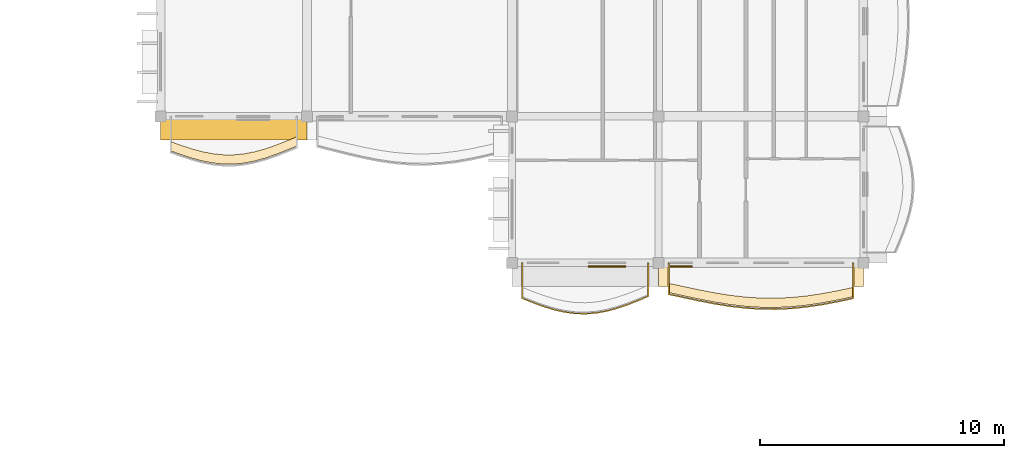
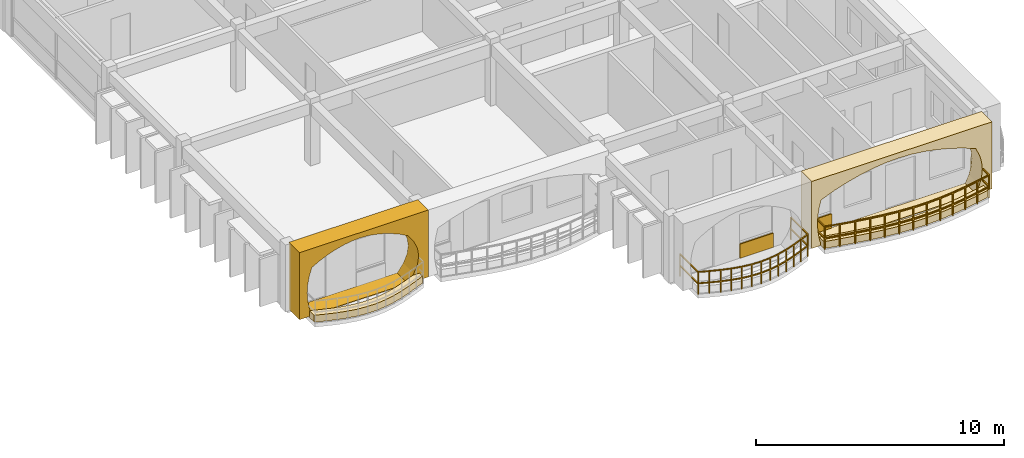
# One storey, part 62 of 68: 6 coverings, 2 railings.
"""IFC4 building model written with IfcOpenShell, lengths in metres."""

from ifc_helpers import new_model, si_unit, direction, frame, origin, origin_2d, place, context, subcontext, project, spatial, polyline, rectangle, outline, extrude, material, layer, layer_set, type_object, element, save


model = new_model("IFC4")

# Units and contexts
model_context = context("Model", 3, precision=1e-05, world=origin(), true_north=direction((0.0, 1.0)))
body_context = subcontext(model_context, "Body", "Model", "MODEL_VIEW")
ifc_project = project(units=[si_unit("LENGTHUNIT", "METRE"), si_unit("AREAUNIT", "SQUARE_METRE"), si_unit("VOLUMEUNIT", "CUBIC_METRE"), si_unit("PLANEANGLEUNIT", "RADIAN"), si_unit("MASSUNIT", "GRAM", prefix="KILO"), si_unit("THERMODYNAMICTEMPERATUREUNIT", "KELVIN")], contexts=[model_context])

# Site, building, storey
site_placement = place(None, origin())
site = spatial("IfcSite", under=ifc_project, at=site_placement, CompositionType="ELEMENT")
building_placement = place(site_placement, origin())
building = spatial("IfcBuilding", under=site, at=building_placement, Name="Thalorik Housing Commons", CompositionType="ELEMENT")
storey_placement = place(building_placement, frame((0.0, 0.0, 24.60009765625)))
storey = spatial("IfcBuildingStorey", under=building, at=storey_placement, Name="L07", CompositionType="ELEMENT", Elevation=24.60009765625)

# Coverings
ifc_material_1 = material(Name="Cobalt blue glazed ceramic facade tile panel", Category="masonry")
ifc_layer_1 = layer(ifc_material_1, 0.06005859375, Name="Cobalt blue glazed ceramic facade tile panel", Category="masonry")
ifc_layer_set_1 = layer_set([ifc_layer_1], Name="Cobalt blue glazed ceramic facade tile panel")
covering_type_1 = type_object("IfcCoveringType", Name="ARC-CLD-BLU-60", PredefinedType="CLADDING", material=ifc_layer_set_1)
covering_1_placement = place(storey_placement, frame((156.2900390625, 37.047607421875, 0.0498046875), z_axis=(0.0, 0.0, 1.0), x_axis=(1.0, 0.0, 0.0)))
element("IfcCovering", 1, at=covering_1_placement, inside=storey, type_object=covering_type_1, Name="L07 De Stijl Recessed Window Spandrel 5031", PredefinedType="CLADDING", context=body_context, shape_type="SweptSolid", body=[
    extrude(rectangle(XDim=1.550048828125, YDim=0.06005859375, at=origin_2d()), origin(), (0.0, 0.0, 1.0), 0.699951171875),
])
ifc_material_2 = material(Name="Precast concrete C40/50", Category="concrete")
ifc_layer_2 = layer(ifc_material_2, 0.85009765625, Name="Precast concrete C40/50", Category="concrete")
ifc_layer_set_2 = layer_set([ifc_layer_2], Name="Precast concrete C40/50")
covering_type_2 = type_object("IfcCoveringType", Name="ARC-CLD-CUSH-850", PredefinedType="CLADDING", material=ifc_layer_set_2)
covering_2_placement = place(storey_placement, frame((141.0, 42.657470703125, 0.0), z_axis=(0.0, 0.0, 1.0), x_axis=(1.0, 0.0, 0.0)))
element("IfcCovering", 2, at=covering_2_placement, inside=storey, type_object=covering_type_2, Name="L07 White Precast Curved Cushion Bay Frame 5019", PredefinedType="CLADDING", context=body_context, shape_type="SweptSolid", body=[
    extrude(outline(polyline([(-3.0, 0.0), (3.0, 0.0), (3.0, 3.300048828125), (-3.0, 3.300048828125), (-3.0, 0.0)]), holes=[polyline([(2.0400390625, 0.02490234375), (2.3232421875, 0.415771484375), (2.493408203125, 0.806640625), (2.550048828125, 1.197509765625), (2.493408203125, 1.58837890625), (2.3232421875, 1.979248046875), (2.0400390625, 2.3701171875), (1.66748046875, 2.573974609375), (1.294921875, 2.734130859375), (0.922607421875, 2.864013671875), (0.550048828125, 2.960205078125), (0.177490234375, 3.02001953125), (-0.195068359375, 3.0400390625), (-0.5673828125, 3.02001953125), (-0.93994140625, 2.960205078125), (-1.3125, 2.864013671875), (-1.68505859375, 2.734130859375), (-2.0576171875, 2.573974609375), (-2.429931640625, 2.3701171875), (-2.55029296875, 1.979248046875), (-2.62255859375, 1.58837890625), (-2.646484375, 1.197509765625), (-2.62255859375, 0.806640625), (-2.55029296875, 0.415771484375), (-2.429931640625, 0.02490234375), (2.0400390625, 0.02490234375)])]), frame((0.0, 0.425048828125, 0.0), z_axis=(0.0, -1.0, 0.0), x_axis=(1.0, 0.0, 0.0)), (0.0, 0.0, 1.0), 0.85009765625),
])
covering_3_placement = place(storey_placement, frame((162.60009765625, 36.657470703125, 0.0), z_axis=(0.0, 0.0, 1.0), x_axis=(1.0, 0.0, 0.0)))
element("IfcCovering", 3, at=covering_3_placement, inside=storey, type_object=covering_type_2, Name="L07 White Precast Curved Cushion Bay Frame 5032", PredefinedType="CLADDING", context=body_context, shape_type="SweptSolid", body=[
    extrude(outline(polyline([(-4.199951171875, 0.0), (4.199951171875, 0.0), (4.199951171875, 3.300048828125), (-4.199951171875, 3.300048828125), (-4.199951171875, 0.0)]), holes=[polyline([(3.445068359375, 0.02490234375), (3.614501953125, 0.394287109375), (3.716064453125, 0.76318359375), (3.75, 1.132568359375), (3.716064453125, 1.501708984375), (3.614501953125, 1.870849609375), (3.445068359375, 2.239990234375), (2.84423828125, 2.4833984375), (2.243408203125, 2.6748046875), (1.642578125, 2.82958984375), (1.041748046875, 2.94482421875), (0.44091796875, 3.01611328125), (-0.159912109375, 3.0400390625), (-0.7607421875, 3.01611328125), (-1.36181640625, 2.94482421875), (-1.96240234375, 2.82958984375), (-2.563232421875, 2.6748046875), (-3.164306640625, 2.4833984375), (-3.764892578125, 2.239990234375), (-3.856689453125, 1.870849609375), (-3.911865234375, 1.501708984375), (-3.930419921875, 1.132568359375), (-3.911865234375, 0.76318359375), (-3.856689453125, 0.394287109375), (-3.764892578125, 0.02490234375), (3.445068359375, 0.02490234375)])]), frame((0.0, 0.425048828125, 0.0), z_axis=(0.0, -1.0, 0.0), x_axis=(1.0, 0.0, 0.0)), (0.0, 0.0, 1.0), 0.85009765625),
])
ifc_material_3 = material(Name="Mineral ochre architectural terracotta panel", Category="masonry")
ifc_layer_3 = layer(ifc_material_3, 0.06494140625, Name="Mineral ochre architectural terracotta panel", Category="masonry")
ifc_layer_set_3 = layer_set([ifc_layer_3], Name="Mineral ochre architectural terracotta panel")
covering_type_3 = type_object("IfcCoveringType", Name="ARC-CLD-YEL-65", PredefinedType="CLADDING", material=ifc_layer_set_3)
covering_4_placement = place(storey_placement, frame((159.3349609375, 37.044921875, 0.0498046875), z_axis=(0.0, 0.0, 1.0), x_axis=(1.0, 0.0, 0.0)))
element("IfcCovering", 4, at=covering_4_placement, inside=storey, type_object=covering_type_3, Name="L07 De Stijl Recessed Window Spandrel 5033", PredefinedType="CLADDING", context=body_context, shape_type="SweptSolid", body=[
    extrude(rectangle(XDim=0.89990234375, YDim=0.06494140625, at=origin_2d()), origin(), (0.0, 0.0, 1.0), 0.699951171875),
])
ifc_material_4 = material(Name="Planted vegetated substrate and terracotta trough", Category="masonry")
ifc_layer_4 = layer(ifc_material_4, 0.340087890625, Name="Planted vegetated substrate and terracotta trough", Category="masonry")
ifc_layer_set_4 = layer_set([ifc_layer_4], Name="Planted vegetated substrate and terracotta trough")
covering_type_4 = type_object("IfcCoveringType", Name="ARC-COV-PLANTER", PredefinedType="USERDEFINED", material=ifc_layer_set_4)
covering_5_placement = place(storey_placement, origin())
element("IfcCovering", 5, at=covering_5_placement, inside=storey, type_object=covering_type_4, Name="L07 Balcony Slab-Edge Planted Trough 5693", ObjectType="PLANTER", PredefinedType="USERDEFINED", context=body_context, shape_type="SweptSolid", body=[
    extrude(outline(polyline([(158.820068359375, 35.978271484375), (159.449951171875, 35.841552734375), (160.080078125, 35.708251953125), (160.7099609375, 35.587158203125), (161.340087890625, 35.48681640625), (161.969970703125, 35.413818359375), (162.60009765625, 35.373046875), (163.22998046875, 35.367919921875), (163.860107421875, 35.398681640625), (164.489990234375, 35.463623046875), (165.1201171875, 35.55810546875), (165.75, 35.676513671875), (166.3798828125, 35.810546875), (166.3798828125, 36.1904296875), (165.75, 36.056396484375), (165.1201171875, 35.938232421875), (164.489990234375, 35.843505859375), (163.860107421875, 35.77880859375), (163.22998046875, 35.748046875), (162.60009765625, 35.753173828125), (161.969970703125, 35.793701171875), (161.340087890625, 35.86669921875), (160.7099609375, 35.96728515625), (160.080078125, 36.088134765625), (159.449951171875, 36.221435546875), (158.820068359375, 36.3583984375), (158.820068359375, 35.978271484375)])), origin(), (0.0, 0.0, 1.0), 0.33984375),
])
covering_6_placement = place(storey_placement, origin())
element("IfcCovering", 6, at=covering_6_placement, inside=storey, type_object=covering_type_4, Name="L07 Balcony Slab-Edge Planted Trough 5694", ObjectType="PLANTER", PredefinedType="USERDEFINED", context=body_context, shape_type="SweptSolid", body=[
    extrude(outline(polyline([(138.419921875, 41.7822265625), (138.85009765625, 41.626953125), (139.280029296875, 41.48681640625), (139.7099609375, 41.37109375), (140.139892578125, 41.288330078125), (140.570068359375, 41.24462890625), (141.0, 41.243408203125), (141.429931640625, 41.28564453125), (141.860107421875, 41.368896484375), (142.2900390625, 41.48828125), (142.719970703125, 41.63671875), (143.14990234375, 41.80419921875), (143.580078125, 41.980712890625), (143.580078125, 42.360595703125), (143.14990234375, 42.184326171875), (142.719970703125, 42.0166015625), (142.2900390625, 41.868408203125), (141.860107421875, 41.748779296875), (141.429931640625, 41.66552734375), (141.0, 41.62353515625), (140.570068359375, 41.62451171875), (140.139892578125, 41.668212890625), (139.7099609375, 41.751220703125), (139.280029296875, 41.86669921875), (138.85009765625, 42.007080078125), (138.419921875, 42.162109375), (138.419921875, 41.7822265625)])), origin(), (0.0, 0.0, 1.0), 0.33984375),
])

# Railings
ifc_material_5 = material(Name="Steel S355", Category="steel")
railing_type_1 = type_object("IfcRailingType", Name="ARC-RL-BAL-112", PredefinedType="BALUSTRADE", material=ifc_material_5)
railing_1_placement = place(storey_placement, frame((152.820068359375, 37.199951171875, 0.0)))
element("IfcRailing", 7, at=railing_1_placement, inside=storey, type_object=railing_type_1, Name="L07 Cushion Balcony Guardrail 376", PredefinedType="BALUSTRADE", context=body_context, shape_type="SweptSolid", body=[
    extrude(rectangle(XDim=0.050048828125, YDim=0.050048828125, at=origin_2d()), frame((0.0, 0.0, 1.09521484375), z_axis=(0.0, -1.0, 0.0), x_axis=(1.0, 0.0, 0.0)), (0.0, 0.0, 1.0), 1.457275390625),
    extrude(rectangle(XDim=0.050048828125, YDim=0.050048828125, at=origin_2d()), frame((0.0, 0.0, 0.53515625), z_axis=(0.0, -1.0, 0.0), x_axis=(1.0, 0.0, 0.0)), (0.0, 0.0, 1.0), 1.457275390625),
    extrude(rectangle(XDim=0.050048828125, YDim=0.050048828125, at=origin_2d()), frame((0.0, -1.457275390625, 1.09521484375), z_axis=(0.928549402088, -0.371208846718, 0.0), x_axis=(0.371208846718, 0.928549402088, 0.0)), (0.0, 0.0, 1.0), 0.463134765625),
    extrude(rectangle(XDim=0.050048828125, YDim=0.050048828125, at=origin_2d()), frame((0.0, -1.457275390625, 0.53515625), z_axis=(0.928549402088, -0.371208846718, 0.0), x_axis=(0.371208846718, 0.928549402088, 0.0)), (0.0, 0.0, 1.0), 0.463134765625),
    extrude(rectangle(XDim=0.050048828125, YDim=0.050048828125, at=origin_2d()), frame((0.429931640625, -1.629150390625, 1.09521484375), z_axis=(0.939169012108, -0.343455334354, 0.0), x_axis=(0.343455334354, 0.939169012108, 0.0)), (0.0, 0.0, 1.0), 0.457763671875),
    extrude(rectangle(XDim=0.050048828125, YDim=0.050048828125, at=origin_2d()), frame((0.429931640625, -1.629150390625, 0.53515625), z_axis=(0.939169012108, -0.343455334354, 0.0), x_axis=(0.343455334354, 0.939169012108, 0.0)), (0.0, 0.0, 1.0), 0.457763671875),
    extrude(rectangle(XDim=0.050048828125, YDim=0.050048828125, at=origin_2d()), frame((0.85986328125, -1.786376953125, 1.09521484375), z_axis=(0.955649921481, -0.294505055258, 0.0), x_axis=(0.294505055258, 0.955649921481, 0.0)), (0.0, 0.0, 1.0), 0.4501953125),
    extrude(rectangle(XDim=0.050048828125, YDim=0.050048828125, at=origin_2d()), frame((0.85986328125, -1.786376953125, 0.53515625), z_axis=(0.955649921481, -0.294505055258, 0.0), x_axis=(0.294505055258, 0.955649921481, 0.0)), (0.0, 0.0, 1.0), 0.4501953125),
    extrude(rectangle(XDim=0.050048828125, YDim=0.050048828125, at=origin_2d()), frame((1.2900390625, -1.9189453125, 1.09521484375), z_axis=(0.974437804809, -0.224657438247, 0.0), x_axis=(0.224657438247, 0.974437804809, 0.0)), (0.0, 0.0, 1.0), 0.441162109375),
    extrude(rectangle(XDim=0.050048828125, YDim=0.050048828125, at=origin_2d()), frame((1.2900390625, -1.9189453125, 0.53515625), z_axis=(0.974437804809, -0.224657438247, 0.0), x_axis=(0.224657438247, 0.974437804809, 0.0)), (0.0, 0.0, 1.0), 0.441162109375),
    extrude(rectangle(XDim=0.050048828125, YDim=0.050048828125, at=origin_2d()), frame((1.719970703125, -2.01806640625, 1.09521484375), z_axis=(0.990840436825, -0.135037878954, 0.0), x_axis=(0.135037878954, 0.990840436825, 0.0)), (0.0, 0.0, 1.0), 0.433837890625),
    extrude(rectangle(XDim=0.050048828125, YDim=0.050048828125, at=origin_2d()), frame((1.719970703125, -2.01806640625, 0.53515625), z_axis=(0.990840436825, -0.135037878954, 0.0), x_axis=(0.135037878954, 0.990840436825, 0.0)), (0.0, 0.0, 1.0), 0.433837890625),
    extrude(rectangle(XDim=0.050048828125, YDim=0.050048828125, at=origin_2d()), frame((2.14990234375, -2.07666015625, 1.09521484375), z_axis=(0.999458056361, -0.032917982549, 0.0), x_axis=(0.032917982549, 0.999458056361, 0.0)), (0.0, 0.0, 1.0), 0.43017578125),
    extrude(rectangle(XDim=0.050048828125, YDim=0.050048828125, at=origin_2d()), frame((2.14990234375, -2.07666015625, 0.53515625), z_axis=(0.999458056361, -0.032917982549, 0.0), x_axis=(0.032917982549, 0.999458056361, 0.0)), (0.0, 0.0, 1.0), 0.43017578125),
    extrude(rectangle(XDim=0.050048828125, YDim=0.050048828125, at=origin_2d()), frame((2.579833984375, -2.0908203125, 1.09521484375), z_axis=(0.997371770008, 0.07245379487, 0.0), x_axis=(-0.07245379487, 0.997371770008, 0.0)), (0.0, 0.0, 1.0), 0.431396484375),
    extrude(rectangle(XDim=0.050048828125, YDim=0.050048828125, at=origin_2d()), frame((2.579833984375, -2.0908203125, 0.53515625), z_axis=(0.997371770008, 0.07245379487, 0.0), x_axis=(-0.07245379487, 0.997371770008, 0.0)), (0.0, 0.0, 1.0), 0.431396484375),
    extrude(rectangle(XDim=0.050048828125, YDim=0.050048828125, at=origin_2d()), frame((3.010009765625, -2.0595703125, 1.09521484375), z_axis=(0.985141873648, 0.171742507217, 0.0), x_axis=(-0.171742507217, 0.985141873648, 0.0)), (0.0, 0.0, 1.0), 0.4365234375),
    extrude(rectangle(XDim=0.050048828125, YDim=0.050048828125, at=origin_2d()), frame((3.010009765625, -2.0595703125, 0.53515625), z_axis=(0.985141873648, 0.171742507217, 0.0), x_axis=(-0.171742507217, 0.985141873648, 0.0)), (0.0, 0.0, 1.0), 0.4365234375),
    extrude(rectangle(XDim=0.050048828125, YDim=0.050048828125, at=origin_2d()), frame((3.43994140625, -1.984619140625, 1.09521484375), z_axis=(0.966453204663, 0.256842759672, 0.0), x_axis=(-0.256842759672, 0.966453204663, 0.0)), (0.0, 0.0, 1.0), 0.44482421875),
    extrude(rectangle(XDim=0.050048828125, YDim=0.050048828125, at=origin_2d()), frame((3.43994140625, -1.984619140625, 0.53515625), z_axis=(0.966453204663, 0.256842759672, 0.0), x_axis=(-0.256842759672, 0.966453204663, 0.0)), (0.0, 0.0, 1.0), 0.44482421875),
    extrude(rectangle(XDim=0.050048828125, YDim=0.050048828125, at=origin_2d()), frame((3.869873046875, -1.870361328125, 1.09521484375), z_axis=(0.946949496671, 0.321382405794, 0.0), x_axis=(-0.321382405794, 0.946949496671, 0.0)), (0.0, 0.0, 1.0), 0.454345703125),
    extrude(rectangle(XDim=0.050048828125, YDim=0.050048828125, at=origin_2d()), frame((3.869873046875, -1.870361328125, 0.53515625), z_axis=(0.946949496671, 0.321382405794, 0.0), x_axis=(-0.321382405794, 0.946949496671, 0.0)), (0.0, 0.0, 1.0), 0.454345703125),
    extrude(rectangle(XDim=0.050048828125, YDim=0.050048828125, at=origin_2d()), frame((4.300048828125, -1.724365234375, 1.09521484375), z_axis=(0.930899197283, 0.365276175651, 0.0), x_axis=(-0.365276175651, 0.930899197283, 0.0)), (0.0, 0.0, 1.0), 0.4619140625),
    extrude(rectangle(XDim=0.050048828125, YDim=0.050048828125, at=origin_2d()), frame((4.300048828125, -1.724365234375, 0.53515625), z_axis=(0.930899197283, 0.365276175651, 0.0), x_axis=(-0.365276175651, 0.930899197283, 0.0)), (0.0, 0.0, 1.0), 0.4619140625),
    extrude(rectangle(XDim=0.050048828125, YDim=0.050048828125, at=origin_2d()), frame((4.72998046875, -1.5556640625, 1.09521484375), z_axis=(0.922097969708, 0.386956501768, 0.0), x_axis=(-0.386956501768, 0.922097969708, 0.0)), (0.0, 0.0, 1.0), 0.46630859375),
    extrude(rectangle(XDim=0.050048828125, YDim=0.050048828125, at=origin_2d()), frame((4.72998046875, -1.5556640625, 0.53515625), z_axis=(0.922097969708, 0.386956501768, 0.0), x_axis=(-0.386956501768, 0.922097969708, 0.0)), (0.0, 0.0, 1.0), 0.46630859375),
    extrude(rectangle(XDim=0.050048828125, YDim=0.050048828125, at=origin_2d()), frame((5.159912109375, -1.375244140625, 1.09521484375), z_axis=(0.0, 1.0, 0.0), x_axis=(-1.0, 0.0, 0.0)), (0.0, 0.0, 1.0), 1.375244140625),
    extrude(rectangle(XDim=0.050048828125, YDim=0.050048828125, at=origin_2d()), frame((5.159912109375, -1.375244140625, 0.53515625), z_axis=(0.0, 1.0, 0.0), x_axis=(-1.0, 0.0, 0.0)), (0.0, 0.0, 1.0), 1.375244140625),
    extrude(rectangle(XDim=0.0419921875, YDim=0.0419921875, at=origin_2d()), origin(), (0.0, 0.0, 1.0), 1.070068359375),
    extrude(rectangle(XDim=0.0419921875, YDim=0.0419921875, at=origin_2d()), frame((0.0, -1.457275390625, 0.0)), (0.0, 0.0, 1.0), 1.070068359375),
    extrude(rectangle(XDim=0.0419921875, YDim=0.0419921875, at=origin_2d()), frame((0.429931640625, -1.629150390625, 0.0)), (0.0, 0.0, 1.0), 1.070068359375),
    extrude(rectangle(XDim=0.0419921875, YDim=0.0419921875, at=origin_2d()), frame((0.85986328125, -1.786376953125, 0.0)), (0.0, 0.0, 1.0), 1.070068359375),
    extrude(rectangle(XDim=0.0419921875, YDim=0.0419921875, at=origin_2d()), frame((1.2900390625, -1.9189453125, 0.0)), (0.0, 0.0, 1.0), 1.070068359375),
    extrude(rectangle(XDim=0.0419921875, YDim=0.0419921875, at=origin_2d()), frame((1.719970703125, -2.01806640625, 0.0)), (0.0, 0.0, 1.0), 1.070068359375),
    extrude(rectangle(XDim=0.0419921875, YDim=0.0419921875, at=origin_2d()), frame((2.14990234375, -2.07666015625, 0.0)), (0.0, 0.0, 1.0), 1.070068359375),
    extrude(rectangle(XDim=0.0419921875, YDim=0.0419921875, at=origin_2d()), frame((2.579833984375, -2.0908203125, 0.0)), (0.0, 0.0, 1.0), 1.070068359375),
    extrude(rectangle(XDim=0.0419921875, YDim=0.0419921875, at=origin_2d()), frame((3.010009765625, -2.0595703125, 0.0)), (0.0, 0.0, 1.0), 1.070068359375),
    extrude(rectangle(XDim=0.0419921875, YDim=0.0419921875, at=origin_2d()), frame((3.43994140625, -1.984619140625, 0.0)), (0.0, 0.0, 1.0), 1.070068359375),
    extrude(rectangle(XDim=0.0419921875, YDim=0.0419921875, at=origin_2d()), frame((3.869873046875, -1.870361328125, 0.0)), (0.0, 0.0, 1.0), 1.070068359375),
    extrude(rectangle(XDim=0.0419921875, YDim=0.0419921875, at=origin_2d()), frame((4.300048828125, -1.724365234375, 0.0)), (0.0, 0.0, 1.0), 1.070068359375),
    extrude(rectangle(XDim=0.0419921875, YDim=0.0419921875, at=origin_2d()), frame((4.72998046875, -1.5556640625, 0.0)), (0.0, 0.0, 1.0), 1.070068359375),
    extrude(rectangle(XDim=0.0419921875, YDim=0.0419921875, at=origin_2d()), frame((5.159912109375, -1.375244140625, 0.0)), (0.0, 0.0, 1.0), 1.070068359375),
    extrude(rectangle(XDim=0.0419921875, YDim=0.0419921875, at=origin_2d()), frame((5.159912109375, 0.0, 0.0)), (0.0, 0.0, 1.0), 1.070068359375),
])
railing_type_2 = type_object("IfcRailingType", Name="ARC-RL-BAL-115", PredefinedType="BALUSTRADE", material=ifc_material_5)
railing_2_placement = place(storey_placement, frame((158.820068359375, 37.199951171875, 0.0)))
element("IfcRailing", 8, at=railing_2_placement, inside=storey, type_object=railing_type_2, Name="L07 Cushion Balcony Guardrail 377", PredefinedType="BALUSTRADE", context=body_context, shape_type="SweptSolid", body=[
    extrude(rectangle(XDim=0.050048828125, YDim=0.050048828125, at=origin_2d()), frame((0.0, 0.0, 1.125), z_axis=(0.0, -1.0, 0.0), x_axis=(1.0, 0.0, 0.0)), (0.0, 0.0, 1.0), 1.291748046875),
    extrude(rectangle(XDim=0.050048828125, YDim=0.050048828125, at=origin_2d()), frame((0.0, 0.0, 0.5498046875), z_axis=(0.0, -1.0, 0.0), x_axis=(1.0, 0.0, 0.0)), (0.0, 0.0, 1.0), 1.291748046875),
    extrude(rectangle(XDim=0.050048828125, YDim=0.050048828125, at=origin_2d()), frame((0.0, -1.291748046875, 1.125), z_axis=(0.977244684611, -0.212115125342, 0.0), x_axis=(0.212115125342, 0.977244684611, 0.0)), (0.0, 0.0, 1.0), 0.64453125),
    extrude(rectangle(XDim=0.050048828125, YDim=0.050048828125, at=origin_2d()), frame((0.0, -1.291748046875, 0.5498046875), z_axis=(0.977244684611, -0.212115125342, 0.0), x_axis=(0.212115125342, 0.977244684611, 0.0)), (0.0, 0.0, 1.0), 0.64453125),
    extrude(rectangle(XDim=0.050048828125, YDim=0.050048828125, at=origin_2d()), frame((0.6298828125, -1.428466796875, 1.125), z_axis=(0.978348227117, -0.206965568387, 0.0), x_axis=(0.206965568387, 0.978348227117, 0.0)), (0.0, 0.0, 1.0), 0.64404296875),
    extrude(rectangle(XDim=0.050048828125, YDim=0.050048828125, at=origin_2d()), frame((0.6298828125, -1.428466796875, 0.5498046875), z_axis=(0.978348227117, -0.206965568387, 0.0), x_axis=(0.206965568387, 0.978348227117, 0.0)), (0.0, 0.0, 1.0), 0.64404296875),
    extrude(rectangle(XDim=0.050048828125, YDim=0.050048828125, at=origin_2d()), frame((1.260009765625, -1.561767578125, 1.125), z_axis=(0.982017304897, -0.188790923732, 0.0), x_axis=(0.188790923732, 0.982017304897, 0.0)), (0.0, 0.0, 1.0), 0.641357421875),
    extrude(rectangle(XDim=0.050048828125, YDim=0.050048828125, at=origin_2d()), frame((1.260009765625, -1.561767578125, 0.5498046875), z_axis=(0.982017304897, -0.188790923732, 0.0), x_axis=(0.188790923732, 0.982017304897, 0.0)), (0.0, 0.0, 1.0), 0.641357421875),
    extrude(rectangle(XDim=0.050048828125, YDim=0.050048828125, at=origin_2d()), frame((1.889892578125, -1.682861328125, 1.125), z_axis=(0.987557357534, -0.15725923051, 0.0), x_axis=(0.15725923051, 0.987557357534, 0.0)), (0.0, 0.0, 1.0), 0.63818359375),
    extrude(rectangle(XDim=0.050048828125, YDim=0.050048828125, at=origin_2d()), frame((1.889892578125, -1.682861328125, 0.5498046875), z_axis=(0.987557357534, -0.15725923051, 0.0), x_axis=(0.15725923051, 0.987557357534, 0.0)), (0.0, 0.0, 1.0), 0.63818359375),
    extrude(rectangle(XDim=0.050048828125, YDim=0.050048828125, at=origin_2d()), frame((2.52001953125, -1.783203125, 1.125), z_axis=(0.993351480173, -0.115120966113, 0.0), x_axis=(0.115120966113, 0.993351480173, 0.0)), (0.0, 0.0, 1.0), 0.634033203125),
    extrude(rectangle(XDim=0.050048828125, YDim=0.050048828125, at=origin_2d()), frame((2.52001953125, -1.783203125, 0.5498046875), z_axis=(0.993351480173, -0.115120966113, 0.0), x_axis=(0.115120966113, 0.993351480173, 0.0)), (0.0, 0.0, 1.0), 0.634033203125),
    extrude(rectangle(XDim=0.050048828125, YDim=0.050048828125, at=origin_2d()), frame((3.14990234375, -1.856201171875, 1.125), z_axis=(0.997913271736, -0.064568584417, 0.0), x_axis=(0.064568584417, 0.997913271736, 0.0)), (0.0, 0.0, 1.0), 0.63134765625),
    extrude(rectangle(XDim=0.050048828125, YDim=0.050048828125, at=origin_2d()), frame((3.14990234375, -1.856201171875, 0.5498046875), z_axis=(0.997913271736, -0.064568584417, 0.0), x_axis=(0.064568584417, 0.997913271736, 0.0)), (0.0, 0.0, 1.0), 0.63134765625),
    extrude(rectangle(XDim=0.050048828125, YDim=0.050048828125, at=origin_2d()), frame((3.780029296875, -1.89697265625, 1.125), z_axis=(0.999969955083, -0.007751705078, 0.0), x_axis=(0.007751705078, 0.999969955083, 0.0)), (0.0, 0.0, 1.0), 0.6298828125),
    extrude(rectangle(XDim=0.050048828125, YDim=0.050048828125, at=origin_2d()), frame((3.780029296875, -1.89697265625, 0.5498046875), z_axis=(0.999969955083, -0.007751705078, 0.0), x_axis=(0.007751705078, 0.999969955083, 0.0)), (0.0, 0.0, 1.0), 0.6298828125),
    extrude(rectangle(XDim=0.050048828125, YDim=0.050048828125, at=origin_2d()), frame((4.409912109375, -1.90185546875, 1.125), z_axis=(0.998810513093, 0.048760218772, 0.0), x_axis=(-0.048760218772, 0.998810513093, 0.0)), (0.0, 0.0, 1.0), 0.630859375),
    extrude(rectangle(XDim=0.050048828125, YDim=0.050048828125, at=origin_2d()), frame((4.409912109375, -1.90185546875, 0.5498046875), z_axis=(0.998810513093, 0.048760218772, 0.0), x_axis=(-0.048760218772, 0.998810513093, 0.0)), (0.0, 0.0, 1.0), 0.630859375),
    extrude(rectangle(XDim=0.050048828125, YDim=0.050048828125, at=origin_2d()), frame((5.0400390625, -1.87109375, 1.125), z_axis=(0.994766376321, 0.102175616173, 0.0), x_axis=(-0.102175616173, 0.994766376321, 0.0)), (0.0, 0.0, 1.0), 0.63330078125),
    extrude(rectangle(XDim=0.050048828125, YDim=0.050048828125, at=origin_2d()), frame((5.0400390625, -1.87109375, 0.5498046875), z_axis=(0.994766376321, 0.102175616173, 0.0), x_axis=(-0.102175616173, 0.994766376321, 0.0)), (0.0, 0.0, 1.0), 0.63330078125),
    extrude(rectangle(XDim=0.050048828125, YDim=0.050048828125, at=origin_2d()), frame((5.669921875, -1.806396484375, 1.125), z_axis=(0.988888525973, 0.148658949274, 0.0), x_axis=(-0.148658949274, 0.988888525973, 0.0)), (0.0, 0.0, 1.0), 0.63720703125),
    extrude(rectangle(XDim=0.050048828125, YDim=0.050048828125, at=origin_2d()), frame((5.669921875, -1.806396484375, 0.5498046875), z_axis=(0.988888525973, 0.148658949274, 0.0), x_axis=(-0.148658949274, 0.988888525973, 0.0)), (0.0, 0.0, 1.0), 0.63720703125),
    extrude(rectangle(XDim=0.050048828125, YDim=0.050048828125, at=origin_2d()), frame((6.300048828125, -1.711669921875, 1.125), z_axis=(0.982854931993, 0.18438053763, 0.0), x_axis=(-0.18438053763, 0.982854931993, 0.0)), (0.0, 0.0, 1.0), 0.640869140625),
    extrude(rectangle(XDim=0.050048828125, YDim=0.050048828125, at=origin_2d()), frame((6.300048828125, -1.711669921875, 0.5498046875), z_axis=(0.982854931993, 0.18438053763, 0.0), x_axis=(-0.18438053763, 0.982854931993, 0.0)), (0.0, 0.0, 1.0), 0.640869140625),
    extrude(rectangle(XDim=0.050048828125, YDim=0.050048828125, at=origin_2d()), frame((6.929931640625, -1.593505859375, 1.125), z_axis=(0.978101003086, 0.208130794843, 0.0), x_axis=(-0.208130794843, 0.978101003086, 0.0)), (0.0, 0.0, 1.0), 0.64404296875),
    extrude(rectangle(XDim=0.050048828125, YDim=0.050048828125, at=origin_2d()), frame((6.929931640625, -1.593505859375, 0.5498046875), z_axis=(0.978101003086, 0.208130794843, 0.0), x_axis=(-0.208130794843, 0.978101003086, 0.0)), (0.0, 0.0, 1.0), 0.64404296875),
    extrude(rectangle(XDim=0.050048828125, YDim=0.050048828125, at=origin_2d()), frame((7.559814453125, -1.45947265625, 1.125), z_axis=(0.0, 1.0, 0.0), x_axis=(-1.0, 0.0, 0.0)), (0.0, 0.0, 1.0), 1.45947265625),
    extrude(rectangle(XDim=0.050048828125, YDim=0.050048828125, at=origin_2d()), frame((7.559814453125, -1.45947265625, 0.5498046875), z_axis=(0.0, 1.0, 0.0), x_axis=(-1.0, 0.0, 0.0)), (0.0, 0.0, 1.0), 1.45947265625),
    extrude(rectangle(XDim=0.0419921875, YDim=0.0419921875, at=origin_2d()), origin(), (0.0, 0.0, 1.0), 1.099853515625),
    extrude(rectangle(XDim=0.0419921875, YDim=0.0419921875, at=origin_2d()), frame((0.0, -1.291748046875, 0.0)), (0.0, 0.0, 1.0), 1.099853515625),
    extrude(rectangle(XDim=0.0419921875, YDim=0.0419921875, at=origin_2d()), frame((0.6298828125, -1.428466796875, 0.0)), (0.0, 0.0, 1.0), 1.099853515625),
    extrude(rectangle(XDim=0.0419921875, YDim=0.0419921875, at=origin_2d()), frame((1.260009765625, -1.561767578125, 0.0)), (0.0, 0.0, 1.0), 1.099853515625),
    extrude(rectangle(XDim=0.0419921875, YDim=0.0419921875, at=origin_2d()), frame((1.889892578125, -1.682861328125, 0.0)), (0.0, 0.0, 1.0), 1.099853515625),
    extrude(rectangle(XDim=0.0419921875, YDim=0.0419921875, at=origin_2d()), frame((2.52001953125, -1.783203125, 0.0)), (0.0, 0.0, 1.0), 1.099853515625),
    extrude(rectangle(XDim=0.0419921875, YDim=0.0419921875, at=origin_2d()), frame((3.14990234375, -1.856201171875, 0.0)), (0.0, 0.0, 1.0), 1.099853515625),
    extrude(rectangle(XDim=0.0419921875, YDim=0.0419921875, at=origin_2d()), frame((3.780029296875, -1.89697265625, 0.0)), (0.0, 0.0, 1.0), 1.099853515625),
    extrude(rectangle(XDim=0.0419921875, YDim=0.0419921875, at=origin_2d()), frame((4.409912109375, -1.90185546875, 0.0)), (0.0, 0.0, 1.0), 1.099853515625),
    extrude(rectangle(XDim=0.0419921875, YDim=0.0419921875, at=origin_2d()), frame((5.0400390625, -1.87109375, 0.0)), (0.0, 0.0, 1.0), 1.099853515625),
    extrude(rectangle(XDim=0.0419921875, YDim=0.0419921875, at=origin_2d()), frame((5.669921875, -1.806396484375, 0.0)), (0.0, 0.0, 1.0), 1.099853515625),
    extrude(rectangle(XDim=0.0419921875, YDim=0.0419921875, at=origin_2d()), frame((6.300048828125, -1.711669921875, 0.0)), (0.0, 0.0, 1.0), 1.099853515625),
    extrude(rectangle(XDim=0.0419921875, YDim=0.0419921875, at=origin_2d()), frame((6.929931640625, -1.593505859375, 0.0)), (0.0, 0.0, 1.0), 1.099853515625),
    extrude(rectangle(XDim=0.0419921875, YDim=0.0419921875, at=origin_2d()), frame((7.559814453125, -1.45947265625, 0.0)), (0.0, 0.0, 1.0), 1.099853515625),
    extrude(rectangle(XDim=0.0419921875, YDim=0.0419921875, at=origin_2d()), frame((7.559814453125, 0.0, 0.0)), (0.0, 0.0, 1.0), 1.099853515625),
])

save(model, "model.ifc")
